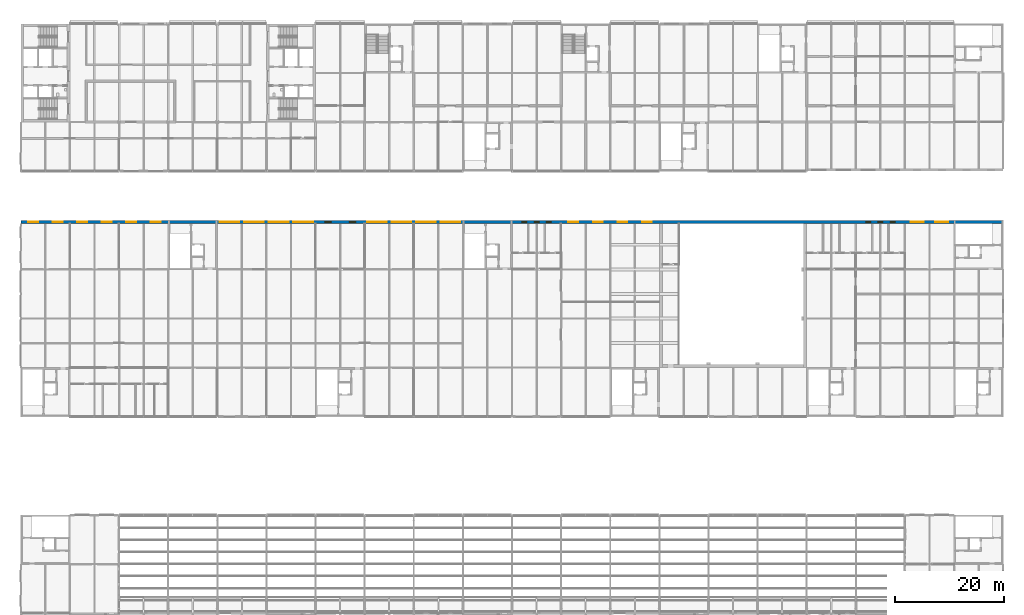
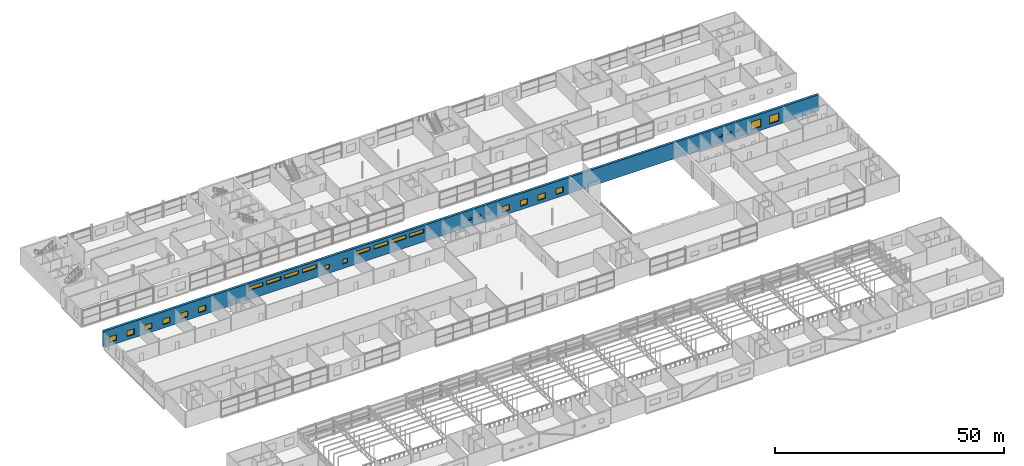
# One storey, part 122 of 138: 28 windows, 1 wall, 28 openings.
"""IFC4 building model written with IfcOpenShell, lengths in metres."""

from ifc_helpers import new_model, si_unit, direction, frame, frame_2d, origin, place, context, subcontext, project, spatial, rectangle, extrude, material, layer, layer_set, type_object, element, fill, save


model = new_model("IFC4")

# Units and contexts
model_context = context("Model", 3, precision=1e-05, world=origin(), true_north=direction((0.0, 1.0)))
body_context = subcontext(model_context, "Body", "Model", "MODEL_VIEW")
ifc_project = project(units=[si_unit("LENGTHUNIT", "METRE"), si_unit("AREAUNIT", "SQUARE_METRE"), si_unit("VOLUMEUNIT", "CUBIC_METRE"), si_unit("PLANEANGLEUNIT", "RADIAN"), si_unit("MASSUNIT", "GRAM", prefix="KILO")], contexts=[model_context])

# Site, building, storey
site_placement = place(None, origin())
site = spatial("IfcSite", under=ifc_project, at=site_placement, CompositionType="ELEMENT")
building_placement = place(site_placement, origin())
building = spatial("IfcBuilding", under=site, at=building_placement, Name="Corbel Yard City Hall", CompositionType="ELEMENT")
storey_placement = place(building_placement, frame((0.0, 0.0, 10.5)))
storey = spatial("IfcBuildingStorey", under=building, at=storey_placement, Name="L02", CompositionType="ELEMENT", Elevation=10.5)

# Wall, openings, windows
ifc_material_1 = material(Name="Concrete N50 (50 MPa)", Category="concrete")
ifc_layer = layer(ifc_material_1, 0.60009765625)
ifc_layer_set = layer_set([ifc_layer], Name="Concrete N50 (50 MPa)")
wall_type = type_object("IfcWallType", Name="Bearing wall 600", PredefinedType="SHEAR", material=ifc_layer_set)
wall_placement = place(storey_placement, frame((0.0, 80.699951171875, 0.0), z_axis=(0.0, 0.0, 1.0), x_axis=(1.0, 0.0, 0.0)))
wall = element("IfcWall", 1, at=wall_placement, inside=storey, type_object=wall_type, Name="Bearing wall L02", PredefinedType="SHEAR", context=body_context, shape_type="SweptSolid", body=[
    extrude(rectangle(XDim=180.0, YDim=0.60009765625, at=frame_2d((90.0, 0.0))), origin(), (0.0, 0.0, 1.0), 4.35009765625),
])
opening_1_placement = place(wall_placement, frame((1.35009765625, 0.0, 0.89990234375)))
opening_1 = element("IfcOpeningElement", 2, at=opening_1_placement, cuts=wall, Name="Opening WN4", PredefinedType="OPENING", context=body_context, shape_type="SweptSolid", body=[
    extrude(rectangle(XDim=1.800048828125, YDim=1.5, at=frame_2d((0.89990234375, 0.75))), frame((0.0, 0.31005859375, 0.0), z_axis=(0.0, -1.0, 0.0), x_axis=(1.0, 0.0, 0.0)), (0.0, 0.0, 1.0), 0.6201171875),
])
opening_2_placement = place(wall_placement, frame((5.85009765625, 0.0, 0.89990234375)))
opening_2 = element("IfcOpeningElement", 3, at=opening_2_placement, cuts=wall, Name="Opening WN4", PredefinedType="OPENING", context=body_context, shape_type="SweptSolid", body=[
    extrude(rectangle(XDim=1.800048828125, YDim=1.5, at=frame_2d((0.89990234375, 0.75))), frame((0.0, 0.31005859375, 0.0), z_axis=(0.0, -1.0, 0.0), x_axis=(1.0, 0.0, 0.0)), (0.0, 0.0, 1.0), 0.6201171875),
])
opening_3_placement = place(wall_placement, frame((10.35009765625, 0.0, 0.89990234375)))
opening_3 = element("IfcOpeningElement", 4, at=opening_3_placement, cuts=wall, Name="Opening WN4", PredefinedType="OPENING", context=body_context, shape_type="SweptSolid", body=[
    extrude(rectangle(XDim=1.800048828125, YDim=1.5, at=frame_2d((0.89990234375, 0.75))), frame((0.0, 0.31005859375, 0.0), z_axis=(0.0, -1.0, 0.0), x_axis=(1.0, 0.0, 0.0)), (0.0, 0.0, 1.0), 0.6201171875),
])
opening_4_placement = place(wall_placement, frame((14.85009765625, 0.0, 0.89990234375)))
opening_4 = element("IfcOpeningElement", 5, at=opening_4_placement, cuts=wall, Name="Opening WN4", PredefinedType="OPENING", context=body_context, shape_type="SweptSolid", body=[
    extrude(rectangle(XDim=1.800048828125, YDim=1.5, at=frame_2d((0.89990234375, 0.75))), frame((0.0, 0.31005859375, 0.0), z_axis=(0.0, -1.0, 0.0), x_axis=(1.0, 0.0, 0.0)), (0.0, 0.0, 1.0), 0.6201171875),
])
opening_5_placement = place(wall_placement, frame((19.35009765625, 0.0, 0.89990234375)))
opening_5 = element("IfcOpeningElement", 6, at=opening_5_placement, cuts=wall, Name="Opening WN4", PredefinedType="OPENING", context=body_context, shape_type="SweptSolid", body=[
    extrude(rectangle(XDim=1.800048828125, YDim=1.5, at=frame_2d((0.89990234375, 0.75))), frame((0.0, 0.31005859375, 0.0), z_axis=(0.0, -1.0, 0.0), x_axis=(1.0, 0.0, 0.0)), (0.0, 0.0, 1.0), 0.6201171875),
])
opening_6_placement = place(wall_placement, frame((23.85009765625, 0.0, 0.89990234375)))
opening_6 = element("IfcOpeningElement", 7, at=opening_6_placement, cuts=wall, Name="Opening WN4", PredefinedType="OPENING", context=body_context, shape_type="SweptSolid", body=[
    extrude(rectangle(XDim=1.800048828125, YDim=1.5, at=frame_2d((0.89990234375, 0.75))), frame((0.0, 0.31005859375, 0.0), z_axis=(0.0, -1.0, 0.0), x_axis=(1.0, 0.0, 0.0)), (0.0, 0.0, 1.0), 0.6201171875),
])
opening_7_placement = place(wall_placement, frame((36.449951171875, 0.0, 2.39990234375)))
opening_7 = element("IfcOpeningElement", 8, at=opening_7_placement, cuts=wall, Name="Opening WN9", PredefinedType="OPENING", context=body_context, shape_type="SweptSolid", body=[
    extrude(rectangle(XDim=3.60009765625, YDim=1.0, at=frame_2d((1.800048828125, 0.5))), frame((0.0, 0.31005859375, 0.0), z_axis=(0.0, -1.0, 0.0), x_axis=(1.0, 0.0, 0.0)), (0.0, 0.0, 1.0), 0.6201171875),
])
opening_8_placement = place(wall_placement, frame((40.949951171875, 0.0, 2.39990234375)))
opening_8 = element("IfcOpeningElement", 9, at=opening_8_placement, cuts=wall, Name="Opening WN9", PredefinedType="OPENING", context=body_context, shape_type="SweptSolid", body=[
    extrude(rectangle(XDim=3.60009765625, YDim=1.0, at=frame_2d((1.800048828125, 0.5))), frame((0.0, 0.31005859375, 0.0), z_axis=(0.0, -1.0, 0.0), x_axis=(1.0, 0.0, 0.0)), (0.0, 0.0, 1.0), 0.6201171875),
])
opening_9_placement = place(wall_placement, frame((45.449951171875, 0.0, 2.39990234375)))
opening_9 = element("IfcOpeningElement", 10, at=opening_9_placement, cuts=wall, Name="Opening WN9", PredefinedType="OPENING", context=body_context, shape_type="SweptSolid", body=[
    extrude(rectangle(XDim=3.60009765625, YDim=1.0, at=frame_2d((1.800048828125, 0.5))), frame((0.0, 0.31005859375, 0.0), z_axis=(0.0, -1.0, 0.0), x_axis=(1.0, 0.0, 0.0)), (0.0, 0.0, 1.0), 0.6201171875),
])
opening_10_placement = place(wall_placement, frame((49.949951171875, 0.0, 2.39990234375)))
opening_10 = element("IfcOpeningElement", 11, at=opening_10_placement, cuts=wall, Name="Opening WN9", PredefinedType="OPENING", context=body_context, shape_type="SweptSolid", body=[
    extrude(rectangle(XDim=3.60009765625, YDim=1.0, at=frame_2d((1.800048828125, 0.5))), frame((0.0, 0.31005859375, 0.0), z_axis=(0.0, -1.0, 0.0), x_axis=(1.0, 0.0, 0.0)), (0.0, 0.0, 1.0), 0.6201171875),
])
opening_11_placement = place(wall_placement, frame((55.64990234375, 0.0, 1.199951171875)))
opening_11 = element("IfcOpeningElement", 12, at=opening_11_placement, cuts=wall, Name="Opening WN13", PredefinedType="OPENING", context=body_context, shape_type="SweptSolid", body=[
    extrude(rectangle(XDim=1.199951171875, YDim=1.199951171875, at=frame_2d((0.60009765625, 0.60009765625))), frame((0.0, 0.31005859375, 0.0), z_axis=(0.0, -1.0, 0.0), x_axis=(1.0, 0.0, 0.0)), (0.0, 0.0, 1.0), 0.6201171875),
])
opening_12_placement = place(wall_placement, frame((60.14990234375, 0.0, 1.199951171875)))
opening_12 = element("IfcOpeningElement", 13, at=opening_12_placement, cuts=wall, Name="Opening WN13", PredefinedType="OPENING", context=body_context, shape_type="SweptSolid", body=[
    extrude(rectangle(XDim=1.199951171875, YDim=1.199951171875, at=frame_2d((0.60009765625, 0.60009765625))), frame((0.0, 0.31005859375, 0.0), z_axis=(0.0, -1.0, 0.0), x_axis=(1.0, 0.0, 0.0)), (0.0, 0.0, 1.0), 0.6201171875),
])
opening_13_placement = place(wall_placement, frame((63.449951171875, 0.0, 2.39990234375)))
opening_13 = element("IfcOpeningElement", 14, at=opening_13_placement, cuts=wall, Name="Opening WN9", PredefinedType="OPENING", context=body_context, shape_type="SweptSolid", body=[
    extrude(rectangle(XDim=3.60009765625, YDim=1.0, at=frame_2d((1.800048828125, 0.5))), frame((0.0, 0.31005859375, 0.0), z_axis=(0.0, -1.0, 0.0), x_axis=(1.0, 0.0, 0.0)), (0.0, 0.0, 1.0), 0.6201171875),
])
opening_14_placement = place(wall_placement, frame((67.949951171875, 0.0, 2.39990234375)))
opening_14 = element("IfcOpeningElement", 15, at=opening_14_placement, cuts=wall, Name="Opening WN9", PredefinedType="OPENING", context=body_context, shape_type="SweptSolid", body=[
    extrude(rectangle(XDim=3.60009765625, YDim=1.0, at=frame_2d((1.800048828125, 0.5))), frame((0.0, 0.31005859375, 0.0), z_axis=(0.0, -1.0, 0.0), x_axis=(1.0, 0.0, 0.0)), (0.0, 0.0, 1.0), 0.6201171875),
])
opening_15_placement = place(wall_placement, frame((72.449951171875, 0.0, 2.39990234375)))
opening_15 = element("IfcOpeningElement", 16, at=opening_15_placement, cuts=wall, Name="Opening WN9", PredefinedType="OPENING", context=body_context, shape_type="SweptSolid", body=[
    extrude(rectangle(XDim=3.60009765625, YDim=1.0, at=frame_2d((1.800048828125, 0.5))), frame((0.0, 0.31005859375, 0.0), z_axis=(0.0, -1.0, 0.0), x_axis=(1.0, 0.0, 0.0)), (0.0, 0.0, 1.0), 0.6201171875),
])
opening_16_placement = place(wall_placement, frame((76.949951171875, 0.0, 2.39990234375)))
opening_16 = element("IfcOpeningElement", 17, at=opening_16_placement, cuts=wall, Name="Opening WN9", PredefinedType="OPENING", context=body_context, shape_type="SweptSolid", body=[
    extrude(rectangle(XDim=3.60009765625, YDim=1.0, at=frame_2d((1.800048828125, 0.5))), frame((0.0, 0.31005859375, 0.0), z_axis=(0.0, -1.0, 0.0), x_axis=(1.0, 0.0, 0.0)), (0.0, 0.0, 1.0), 0.6201171875),
])
opening_17_placement = place(wall_placement, frame((91.800048828125, 0.0, 1.699951171875)))
opening_17 = element("IfcOpeningElement", 18, at=opening_17_placement, cuts=wall, Name="Opening WN10", PredefinedType="OPENING", context=body_context, shape_type="SweptSolid", body=[
    extrude(rectangle(XDim=0.89990234375, YDim=0.60009765625, at=frame_2d((0.449951171875, 0.300048828125))), frame((0.0, 0.31005859375, 0.0), z_axis=(0.0, -1.0, 0.0), x_axis=(1.0, 0.0, 0.0)), (0.0, 0.0, 1.0), 0.6201171875),
])
opening_18_placement = place(wall_placement, frame((96.300048828125, 0.0, 1.699951171875)))
opening_18 = element("IfcOpeningElement", 19, at=opening_18_placement, cuts=wall, Name="Opening WN10", PredefinedType="OPENING", context=body_context, shape_type="SweptSolid", body=[
    extrude(rectangle(XDim=0.89990234375, YDim=0.60009765625, at=frame_2d((0.449951171875, 0.300048828125))), frame((0.0, 0.31005859375, 0.0), z_axis=(0.0, -1.0, 0.0), x_axis=(1.0, 0.0, 0.0)), (0.0, 0.0, 1.0), 0.6201171875),
])
opening_19_placement = place(wall_placement, frame((100.35009765625, 0.0, 0.89990234375)))
opening_19 = element("IfcOpeningElement", 20, at=opening_19_placement, cuts=wall, Name="Opening WN4", PredefinedType="OPENING", context=body_context, shape_type="SweptSolid", body=[
    extrude(rectangle(XDim=1.800048828125, YDim=1.5, at=frame_2d((0.89990234375, 0.75))), frame((0.0, 0.31005859375, 0.0), z_axis=(0.0, -1.0, 0.0), x_axis=(1.0, 0.0, 0.0)), (0.0, 0.0, 1.0), 0.6201171875),
])
opening_20_placement = place(wall_placement, frame((104.85009765625, 0.0, 0.89990234375)))
opening_20 = element("IfcOpeningElement", 21, at=opening_20_placement, cuts=wall, Name="Opening WN4", PredefinedType="OPENING", context=body_context, shape_type="SweptSolid", body=[
    extrude(rectangle(XDim=1.800048828125, YDim=1.5, at=frame_2d((0.89990234375, 0.75))), frame((0.0, 0.31005859375, 0.0), z_axis=(0.0, -1.0, 0.0), x_axis=(1.0, 0.0, 0.0)), (0.0, 0.0, 1.0), 0.6201171875),
])
opening_21_placement = place(wall_placement, frame((109.35009765625, 0.0, 0.89990234375)))
opening_21 = element("IfcOpeningElement", 22, at=opening_21_placement, cuts=wall, Name="Opening WN4", PredefinedType="OPENING", context=body_context, shape_type="SweptSolid", body=[
    extrude(rectangle(XDim=1.800048828125, YDim=1.5, at=frame_2d((0.89990234375, 0.75))), frame((0.0, 0.31005859375, 0.0), z_axis=(0.0, -1.0, 0.0), x_axis=(1.0, 0.0, 0.0)), (0.0, 0.0, 1.0), 0.6201171875),
])
opening_22_placement = place(wall_placement, frame((113.85009765625, 0.0, 0.89990234375)))
opening_22 = element("IfcOpeningElement", 23, at=opening_22_placement, cuts=wall, Name="Opening WN4", PredefinedType="OPENING", context=body_context, shape_type="SweptSolid", body=[
    extrude(rectangle(XDim=1.800048828125, YDim=1.5, at=frame_2d((0.89990234375, 0.75))), frame((0.0, 0.31005859375, 0.0), z_axis=(0.0, -1.0, 0.0), x_axis=(1.0, 0.0, 0.0)), (0.0, 0.0, 1.0), 0.6201171875),
])
opening_23_placement = place(wall_placement, frame((154.800048828125, 0.0, 1.699951171875)))
opening_23 = element("IfcOpeningElement", 24, at=opening_23_placement, cuts=wall, Name="Opening WN10", PredefinedType="OPENING", context=body_context, shape_type="SweptSolid", body=[
    extrude(rectangle(XDim=0.89990234375, YDim=0.60009765625, at=frame_2d((0.449951171875, 0.300048828125))), frame((0.0, 0.31005859375, 0.0), z_axis=(0.0, -1.0, 0.0), x_axis=(1.0, 0.0, 0.0)), (0.0, 0.0, 1.0), 0.6201171875),
])
opening_24_placement = place(wall_placement, frame((159.300048828125, 0.0, 1.699951171875)))
opening_24 = element("IfcOpeningElement", 25, at=opening_24_placement, cuts=wall, Name="Opening WN10", PredefinedType="OPENING", context=body_context, shape_type="SweptSolid", body=[
    extrude(rectangle(XDim=0.89990234375, YDim=0.60009765625, at=frame_2d((0.449951171875, 0.300048828125))), frame((0.0, 0.31005859375, 0.0), z_axis=(0.0, -1.0, 0.0), x_axis=(1.0, 0.0, 0.0)), (0.0, 0.0, 1.0), 0.6201171875),
])
opening_25_placement = place(wall_placement, frame((163.050048828125, 0.0, 0.89990234375)))
opening_25 = element("IfcOpeningElement", 26, at=opening_25_placement, cuts=wall, Name="Opening WN8", PredefinedType="OPENING", context=body_context, shape_type="SweptSolid", body=[
    extrude(rectangle(XDim=2.39990234375, YDim=2.10009765625, at=frame_2d((1.199951171875, 1.050048828125))), frame((0.0, 0.31005859375, 0.0), z_axis=(0.0, -1.0, 0.0), x_axis=(1.0, 0.0, 0.0)), (0.0, 0.0, 1.0), 0.6201171875),
])
opening_26_placement = place(wall_placement, frame((167.550048828125, 0.0, 0.89990234375)))
opening_26 = element("IfcOpeningElement", 27, at=opening_26_placement, cuts=wall, Name="Opening WN8", PredefinedType="OPENING", context=body_context, shape_type="SweptSolid", body=[
    extrude(rectangle(XDim=2.39990234375, YDim=2.10009765625, at=frame_2d((1.199951171875, 1.050048828125))), frame((0.0, 0.31005859375, 0.0), z_axis=(0.0, -1.0, 0.0), x_axis=(1.0, 0.0, 0.0)), (0.0, 0.0, 1.0), 0.6201171875),
])
opening_27_placement = place(wall_placement, frame((94.050048828125, 0.0, 1.699951171875)))
opening_27 = element("IfcOpeningElement", 28, at=opening_27_placement, cuts=wall, Name="Opening WN10", PredefinedType="OPENING", context=body_context, shape_type="SweptSolid", body=[
    extrude(rectangle(XDim=0.89990234375, YDim=0.60009765625, at=frame_2d((0.449951171875, 0.300048828125))), frame((0.0, 0.31005859375, 0.0), z_axis=(0.0, -1.0, 0.0), x_axis=(1.0, 0.0, 0.0)), (0.0, 0.0, 1.0), 0.6201171875),
])
opening_28_placement = place(wall_placement, frame((157.050048828125, 0.0, 1.699951171875)))
opening_28 = element("IfcOpeningElement", 29, at=opening_28_placement, cuts=wall, Name="Opening WN10", PredefinedType="OPENING", context=body_context, shape_type="SweptSolid", body=[
    extrude(rectangle(XDim=0.89990234375, YDim=0.60009765625, at=frame_2d((0.449951171875, 0.300048828125))), frame((0.0, 0.31005859375, 0.0), z_axis=(0.0, -1.0, 0.0), x_axis=(1.0, 0.0, 0.0)), (0.0, 0.0, 1.0), 0.6201171875),
])
ifc_material_2 = material(Name="Aluminium frame, obscure laminated glass", Category="aluminium")
window_type_1 = type_object("IfcWindowType", Name="WN10", PartitioningType="SINGLE_PANEL", PredefinedType="WINDOW", material=ifc_material_2)
window_1_placement = place(opening_17_placement, origin())
window_1 = element("IfcWindow", 30, at=window_1_placement, inside=storey, type_object=window_type_1, Name="Window WN10 L02", OverallHeight=0.60009765625, OverallWidth=0.89990234375, PartitioningType="SINGLE_PANEL", PredefinedType="WINDOW", context=body_context, shape_type="SweptSolid", body=[
    extrude(rectangle(XDim=0.89990234375, YDim=0.60009765625, at=frame_2d((0.449951171875, 0.300048828125))), frame((0.0, 0.030029296875, 0.0), z_axis=(0.0, -1.0, 0.0), x_axis=(1.0, 0.0, 0.0)), (0.0, 0.0, 1.0), 0.06005859375),
])
fill(opening_17, window_1)
window_2_placement = place(opening_18_placement, origin())
window_2 = element("IfcWindow", 31, at=window_2_placement, inside=storey, type_object=window_type_1, Name="Window WN10 L02", OverallHeight=0.60009765625, OverallWidth=0.89990234375, PartitioningType="SINGLE_PANEL", PredefinedType="WINDOW", context=body_context, shape_type="SweptSolid", body=[
    extrude(rectangle(XDim=0.89990234375, YDim=0.60009765625, at=frame_2d((0.449951171875, 0.300048828125))), frame((0.0, 0.030029296875, 0.0), z_axis=(0.0, -1.0, 0.0), x_axis=(1.0, 0.0, 0.0)), (0.0, 0.0, 1.0), 0.06005859375),
])
fill(opening_18, window_2)
window_3_placement = place(opening_23_placement, origin())
window_3 = element("IfcWindow", 32, at=window_3_placement, inside=storey, type_object=window_type_1, Name="Window WN10 L02", OverallHeight=0.60009765625, OverallWidth=0.89990234375, PartitioningType="SINGLE_PANEL", PredefinedType="WINDOW", context=body_context, shape_type="SweptSolid", body=[
    extrude(rectangle(XDim=0.89990234375, YDim=0.60009765625, at=frame_2d((0.449951171875, 0.300048828125))), frame((0.0, 0.030029296875, 0.0), z_axis=(0.0, -1.0, 0.0), x_axis=(1.0, 0.0, 0.0)), (0.0, 0.0, 1.0), 0.06005859375),
])
fill(opening_23, window_3)
window_4_placement = place(opening_24_placement, origin())
window_4 = element("IfcWindow", 33, at=window_4_placement, inside=storey, type_object=window_type_1, Name="Window WN10 L02", OverallHeight=0.60009765625, OverallWidth=0.89990234375, PartitioningType="SINGLE_PANEL", PredefinedType="WINDOW", context=body_context, shape_type="SweptSolid", body=[
    extrude(rectangle(XDim=0.89990234375, YDim=0.60009765625, at=frame_2d((0.449951171875, 0.300048828125))), frame((0.0, 0.030029296875, 0.0), z_axis=(0.0, -1.0, 0.0), x_axis=(1.0, 0.0, 0.0)), (0.0, 0.0, 1.0), 0.06005859375),
])
fill(opening_24, window_4)
window_5_placement = place(opening_27_placement, origin())
window_5 = element("IfcWindow", 34, at=window_5_placement, inside=storey, type_object=window_type_1, Name="Window WN10 L02", OverallHeight=0.60009765625, OverallWidth=0.89990234375, PartitioningType="SINGLE_PANEL", PredefinedType="WINDOW", context=body_context, shape_type="SweptSolid", body=[
    extrude(rectangle(XDim=0.89990234375, YDim=0.60009765625, at=frame_2d((0.449951171875, 0.300048828125))), frame((0.0, 0.030029296875, 0.0), z_axis=(0.0, -1.0, 0.0), x_axis=(1.0, 0.0, 0.0)), (0.0, 0.0, 1.0), 0.06005859375),
])
fill(opening_27, window_5)
window_6_placement = place(opening_28_placement, origin())
window_6 = element("IfcWindow", 35, at=window_6_placement, inside=storey, type_object=window_type_1, Name="Window WN10 L02", OverallHeight=0.60009765625, OverallWidth=0.89990234375, PartitioningType="SINGLE_PANEL", PredefinedType="WINDOW", context=body_context, shape_type="SweptSolid", body=[
    extrude(rectangle(XDim=0.89990234375, YDim=0.60009765625, at=frame_2d((0.449951171875, 0.300048828125))), frame((0.0, 0.030029296875, 0.0), z_axis=(0.0, -1.0, 0.0), x_axis=(1.0, 0.0, 0.0)), (0.0, 0.0, 1.0), 0.06005859375),
])
fill(opening_28, window_6)
ifc_material_3 = material(Name="Aluminium frame, double glazed low-e glass", Category="aluminium")
window_type_2 = type_object("IfcWindowType", Name="WN13", PartitioningType="SINGLE_PANEL", PredefinedType="WINDOW", material=ifc_material_3)
window_7_placement = place(opening_11_placement, origin())
window_7 = element("IfcWindow", 36, at=window_7_placement, inside=storey, type_object=window_type_2, Name="Window WN13 L02", OverallHeight=1.199951171875, OverallWidth=1.199951171875, PartitioningType="SINGLE_PANEL", PredefinedType="WINDOW", context=body_context, shape_type="SweptSolid", body=[
    extrude(rectangle(XDim=1.199951171875, YDim=1.199951171875, at=frame_2d((0.60009765625, 0.60009765625))), frame((0.0, 0.030029296875, 0.0), z_axis=(0.0, -1.0, 0.0), x_axis=(1.0, 0.0, 0.0)), (0.0, 0.0, 1.0), 0.06005859375),
])
fill(opening_11, window_7)
window_8_placement = place(opening_12_placement, origin())
window_8 = element("IfcWindow", 37, at=window_8_placement, inside=storey, type_object=window_type_2, Name="Window WN13 L02", OverallHeight=1.199951171875, OverallWidth=1.199951171875, PartitioningType="SINGLE_PANEL", PredefinedType="WINDOW", context=body_context, shape_type="SweptSolid", body=[
    extrude(rectangle(XDim=1.199951171875, YDim=1.199951171875, at=frame_2d((0.60009765625, 0.60009765625))), frame((0.0, 0.030029296875, 0.0), z_axis=(0.0, -1.0, 0.0), x_axis=(1.0, 0.0, 0.0)), (0.0, 0.0, 1.0), 0.06005859375),
])
fill(opening_12, window_8)
window_type_3 = type_object("IfcWindowType", Name="WN4", PartitioningType="SINGLE_PANEL", PredefinedType="WINDOW", material=ifc_material_3)
window_9_placement = place(opening_1_placement, origin())
window_9 = element("IfcWindow", 38, at=window_9_placement, inside=storey, type_object=window_type_3, Name="Window WN4 L02", OverallHeight=1.5, OverallWidth=1.800048828125, PartitioningType="SINGLE_PANEL", PredefinedType="WINDOW", context=body_context, shape_type="SweptSolid", body=[
    extrude(rectangle(XDim=1.800048828125, YDim=1.5, at=frame_2d((0.89990234375, 0.75))), frame((0.0, 0.030029296875, 0.0), z_axis=(0.0, -1.0, 0.0), x_axis=(1.0, 0.0, 0.0)), (0.0, 0.0, 1.0), 0.06005859375),
])
fill(opening_1, window_9)
window_10_placement = place(opening_2_placement, origin())
window_10 = element("IfcWindow", 39, at=window_10_placement, inside=storey, type_object=window_type_3, Name="Window WN4 L02", OverallHeight=1.5, OverallWidth=1.800048828125, PartitioningType="SINGLE_PANEL", PredefinedType="WINDOW", context=body_context, shape_type="SweptSolid", body=[
    extrude(rectangle(XDim=1.800048828125, YDim=1.5, at=frame_2d((0.89990234375, 0.75))), frame((0.0, 0.030029296875, 0.0), z_axis=(0.0, -1.0, 0.0), x_axis=(1.0, 0.0, 0.0)), (0.0, 0.0, 1.0), 0.06005859375),
])
fill(opening_2, window_10)
window_11_placement = place(opening_3_placement, origin())
window_11 = element("IfcWindow", 40, at=window_11_placement, inside=storey, type_object=window_type_3, Name="Window WN4 L02", OverallHeight=1.5, OverallWidth=1.800048828125, PartitioningType="SINGLE_PANEL", PredefinedType="WINDOW", context=body_context, shape_type="SweptSolid", body=[
    extrude(rectangle(XDim=1.800048828125, YDim=1.5, at=frame_2d((0.89990234375, 0.75))), frame((0.0, 0.030029296875, 0.0), z_axis=(0.0, -1.0, 0.0), x_axis=(1.0, 0.0, 0.0)), (0.0, 0.0, 1.0), 0.06005859375),
])
fill(opening_3, window_11)
window_12_placement = place(opening_4_placement, origin())
window_12 = element("IfcWindow", 41, at=window_12_placement, inside=storey, type_object=window_type_3, Name="Window WN4 L02", OverallHeight=1.5, OverallWidth=1.800048828125, PartitioningType="SINGLE_PANEL", PredefinedType="WINDOW", context=body_context, shape_type="SweptSolid", body=[
    extrude(rectangle(XDim=1.800048828125, YDim=1.5, at=frame_2d((0.89990234375, 0.75))), frame((0.0, 0.030029296875, 0.0), z_axis=(0.0, -1.0, 0.0), x_axis=(1.0, 0.0, 0.0)), (0.0, 0.0, 1.0), 0.06005859375),
])
fill(opening_4, window_12)
window_13_placement = place(opening_5_placement, origin())
window_13 = element("IfcWindow", 42, at=window_13_placement, inside=storey, type_object=window_type_3, Name="Window WN4 L02", OverallHeight=1.5, OverallWidth=1.800048828125, PartitioningType="SINGLE_PANEL", PredefinedType="WINDOW", context=body_context, shape_type="SweptSolid", body=[
    extrude(rectangle(XDim=1.800048828125, YDim=1.5, at=frame_2d((0.89990234375, 0.75))), frame((0.0, 0.030029296875, 0.0), z_axis=(0.0, -1.0, 0.0), x_axis=(1.0, 0.0, 0.0)), (0.0, 0.0, 1.0), 0.06005859375),
])
fill(opening_5, window_13)
window_14_placement = place(opening_6_placement, origin())
window_14 = element("IfcWindow", 43, at=window_14_placement, inside=storey, type_object=window_type_3, Name="Window WN4 L02", OverallHeight=1.5, OverallWidth=1.800048828125, PartitioningType="SINGLE_PANEL", PredefinedType="WINDOW", context=body_context, shape_type="SweptSolid", body=[
    extrude(rectangle(XDim=1.800048828125, YDim=1.5, at=frame_2d((0.89990234375, 0.75))), frame((0.0, 0.030029296875, 0.0), z_axis=(0.0, -1.0, 0.0), x_axis=(1.0, 0.0, 0.0)), (0.0, 0.0, 1.0), 0.06005859375),
])
fill(opening_6, window_14)
window_15_placement = place(opening_19_placement, origin())
window_15 = element("IfcWindow", 44, at=window_15_placement, inside=storey, type_object=window_type_3, Name="Window WN4 L02", OverallHeight=1.5, OverallWidth=1.800048828125, PartitioningType="SINGLE_PANEL", PredefinedType="WINDOW", context=body_context, shape_type="SweptSolid", body=[
    extrude(rectangle(XDim=1.800048828125, YDim=1.5, at=frame_2d((0.89990234375, 0.75))), frame((0.0, 0.030029296875, 0.0), z_axis=(0.0, -1.0, 0.0), x_axis=(1.0, 0.0, 0.0)), (0.0, 0.0, 1.0), 0.06005859375),
])
fill(opening_19, window_15)
window_16_placement = place(opening_20_placement, origin())
window_16 = element("IfcWindow", 45, at=window_16_placement, inside=storey, type_object=window_type_3, Name="Window WN4 L02", OverallHeight=1.5, OverallWidth=1.800048828125, PartitioningType="SINGLE_PANEL", PredefinedType="WINDOW", context=body_context, shape_type="SweptSolid", body=[
    extrude(rectangle(XDim=1.800048828125, YDim=1.5, at=frame_2d((0.89990234375, 0.75))), frame((0.0, 0.030029296875, 0.0), z_axis=(0.0, -1.0, 0.0), x_axis=(1.0, 0.0, 0.0)), (0.0, 0.0, 1.0), 0.06005859375),
])
fill(opening_20, window_16)
window_17_placement = place(opening_21_placement, origin())
window_17 = element("IfcWindow", 46, at=window_17_placement, inside=storey, type_object=window_type_3, Name="Window WN4 L02", OverallHeight=1.5, OverallWidth=1.800048828125, PartitioningType="SINGLE_PANEL", PredefinedType="WINDOW", context=body_context, shape_type="SweptSolid", body=[
    extrude(rectangle(XDim=1.800048828125, YDim=1.5, at=frame_2d((0.89990234375, 0.75))), frame((0.0, 0.030029296875, 0.0), z_axis=(0.0, -1.0, 0.0), x_axis=(1.0, 0.0, 0.0)), (0.0, 0.0, 1.0), 0.06005859375),
])
fill(opening_21, window_17)
window_18_placement = place(opening_22_placement, origin())
window_18 = element("IfcWindow", 47, at=window_18_placement, inside=storey, type_object=window_type_3, Name="Window WN4 L02", OverallHeight=1.5, OverallWidth=1.800048828125, PartitioningType="SINGLE_PANEL", PredefinedType="WINDOW", context=body_context, shape_type="SweptSolid", body=[
    extrude(rectangle(XDim=1.800048828125, YDim=1.5, at=frame_2d((0.89990234375, 0.75))), frame((0.0, 0.030029296875, 0.0), z_axis=(0.0, -1.0, 0.0), x_axis=(1.0, 0.0, 0.0)), (0.0, 0.0, 1.0), 0.06005859375),
])
fill(opening_22, window_18)
window_type_4 = type_object("IfcWindowType", Name="WN8", PartitioningType="SINGLE_PANEL", PredefinedType="WINDOW", material=ifc_material_3)
window_19_placement = place(opening_25_placement, origin())
window_19 = element("IfcWindow", 48, at=window_19_placement, inside=storey, type_object=window_type_4, Name="Window WN8 L02", OverallHeight=2.10009765625, OverallWidth=2.39990234375, PartitioningType="SINGLE_PANEL", PredefinedType="WINDOW", context=body_context, shape_type="SweptSolid", body=[
    extrude(rectangle(XDim=2.39990234375, YDim=2.10009765625, at=frame_2d((1.199951171875, 1.050048828125))), frame((0.0, 0.030029296875, 0.0), z_axis=(0.0, -1.0, 0.0), x_axis=(1.0, 0.0, 0.0)), (0.0, 0.0, 1.0), 0.06005859375),
])
fill(opening_25, window_19)
window_20_placement = place(opening_26_placement, origin())
window_20 = element("IfcWindow", 49, at=window_20_placement, inside=storey, type_object=window_type_4, Name="Window WN8 L02", OverallHeight=2.10009765625, OverallWidth=2.39990234375, PartitioningType="SINGLE_PANEL", PredefinedType="WINDOW", context=body_context, shape_type="SweptSolid", body=[
    extrude(rectangle(XDim=2.39990234375, YDim=2.10009765625, at=frame_2d((1.199951171875, 1.050048828125))), frame((0.0, 0.030029296875, 0.0), z_axis=(0.0, -1.0, 0.0), x_axis=(1.0, 0.0, 0.0)), (0.0, 0.0, 1.0), 0.06005859375),
])
fill(opening_26, window_20)
ifc_material_4 = material(Name="Aluminium frame, double glazed low-e glass with fritted upper pane", Category="aluminium")
window_type_5 = type_object("IfcWindowType", Name="WN9", PartitioningType="SINGLE_PANEL", PredefinedType="WINDOW", material=ifc_material_4)
window_21_placement = place(opening_7_placement, origin())
window_21 = element("IfcWindow", 50, at=window_21_placement, inside=storey, type_object=window_type_5, Name="Window WN9 L02", OverallHeight=1.0, OverallWidth=3.60009765625, PartitioningType="SINGLE_PANEL", PredefinedType="WINDOW", context=body_context, shape_type="SweptSolid", body=[
    extrude(rectangle(XDim=3.60009765625, YDim=1.0, at=frame_2d((1.800048828125, 0.5))), frame((0.0, 0.030029296875, 0.0), z_axis=(0.0, -1.0, 0.0), x_axis=(1.0, 0.0, 0.0)), (0.0, 0.0, 1.0), 0.06005859375),
])
fill(opening_7, window_21)
window_22_placement = place(opening_8_placement, origin())
window_22 = element("IfcWindow", 51, at=window_22_placement, inside=storey, type_object=window_type_5, Name="Window WN9 L02", OverallHeight=1.0, OverallWidth=3.60009765625, PartitioningType="SINGLE_PANEL", PredefinedType="WINDOW", context=body_context, shape_type="SweptSolid", body=[
    extrude(rectangle(XDim=3.60009765625, YDim=1.0, at=frame_2d((1.800048828125, 0.5))), frame((0.0, 0.030029296875, 0.0), z_axis=(0.0, -1.0, 0.0), x_axis=(1.0, 0.0, 0.0)), (0.0, 0.0, 1.0), 0.06005859375),
])
fill(opening_8, window_22)
window_23_placement = place(opening_9_placement, origin())
window_23 = element("IfcWindow", 52, at=window_23_placement, inside=storey, type_object=window_type_5, Name="Window WN9 L02", OverallHeight=1.0, OverallWidth=3.60009765625, PartitioningType="SINGLE_PANEL", PredefinedType="WINDOW", context=body_context, shape_type="SweptSolid", body=[
    extrude(rectangle(XDim=3.60009765625, YDim=1.0, at=frame_2d((1.800048828125, 0.5))), frame((0.0, 0.030029296875, 0.0), z_axis=(0.0, -1.0, 0.0), x_axis=(1.0, 0.0, 0.0)), (0.0, 0.0, 1.0), 0.06005859375),
])
fill(opening_9, window_23)
window_24_placement = place(opening_10_placement, origin())
window_24 = element("IfcWindow", 53, at=window_24_placement, inside=storey, type_object=window_type_5, Name="Window WN9 L02", OverallHeight=1.0, OverallWidth=3.60009765625, PartitioningType="SINGLE_PANEL", PredefinedType="WINDOW", context=body_context, shape_type="SweptSolid", body=[
    extrude(rectangle(XDim=3.60009765625, YDim=1.0, at=frame_2d((1.800048828125, 0.5))), frame((0.0, 0.030029296875, 0.0), z_axis=(0.0, -1.0, 0.0), x_axis=(1.0, 0.0, 0.0)), (0.0, 0.0, 1.0), 0.06005859375),
])
fill(opening_10, window_24)
window_25_placement = place(opening_13_placement, origin())
window_25 = element("IfcWindow", 54, at=window_25_placement, inside=storey, type_object=window_type_5, Name="Window WN9 L02", OverallHeight=1.0, OverallWidth=3.60009765625, PartitioningType="SINGLE_PANEL", PredefinedType="WINDOW", context=body_context, shape_type="SweptSolid", body=[
    extrude(rectangle(XDim=3.60009765625, YDim=1.0, at=frame_2d((1.800048828125, 0.5))), frame((0.0, 0.030029296875, 0.0), z_axis=(0.0, -1.0, 0.0), x_axis=(1.0, 0.0, 0.0)), (0.0, 0.0, 1.0), 0.06005859375),
])
fill(opening_13, window_25)
window_26_placement = place(opening_14_placement, origin())
window_26 = element("IfcWindow", 55, at=window_26_placement, inside=storey, type_object=window_type_5, Name="Window WN9 L02", OverallHeight=1.0, OverallWidth=3.60009765625, PartitioningType="SINGLE_PANEL", PredefinedType="WINDOW", context=body_context, shape_type="SweptSolid", body=[
    extrude(rectangle(XDim=3.60009765625, YDim=1.0, at=frame_2d((1.800048828125, 0.5))), frame((0.0, 0.030029296875, 0.0), z_axis=(0.0, -1.0, 0.0), x_axis=(1.0, 0.0, 0.0)), (0.0, 0.0, 1.0), 0.06005859375),
])
fill(opening_14, window_26)
window_27_placement = place(opening_15_placement, origin())
window_27 = element("IfcWindow", 56, at=window_27_placement, inside=storey, type_object=window_type_5, Name="Window WN9 L02", OverallHeight=1.0, OverallWidth=3.60009765625, PartitioningType="SINGLE_PANEL", PredefinedType="WINDOW", context=body_context, shape_type="SweptSolid", body=[
    extrude(rectangle(XDim=3.60009765625, YDim=1.0, at=frame_2d((1.800048828125, 0.5))), frame((0.0, 0.030029296875, 0.0), z_axis=(0.0, -1.0, 0.0), x_axis=(1.0, 0.0, 0.0)), (0.0, 0.0, 1.0), 0.06005859375),
])
fill(opening_15, window_27)
window_28_placement = place(opening_16_placement, origin())
window_28 = element("IfcWindow", 57, at=window_28_placement, inside=storey, type_object=window_type_5, Name="Window WN9 L02", OverallHeight=1.0, OverallWidth=3.60009765625, PartitioningType="SINGLE_PANEL", PredefinedType="WINDOW", context=body_context, shape_type="SweptSolid", body=[
    extrude(rectangle(XDim=3.60009765625, YDim=1.0, at=frame_2d((1.800048828125, 0.5))), frame((0.0, 0.030029296875, 0.0), z_axis=(0.0, -1.0, 0.0), x_axis=(1.0, 0.0, 0.0)), (0.0, 0.0, 1.0), 0.06005859375),
])
fill(opening_16, window_28)

save(model, "model.ifc")
